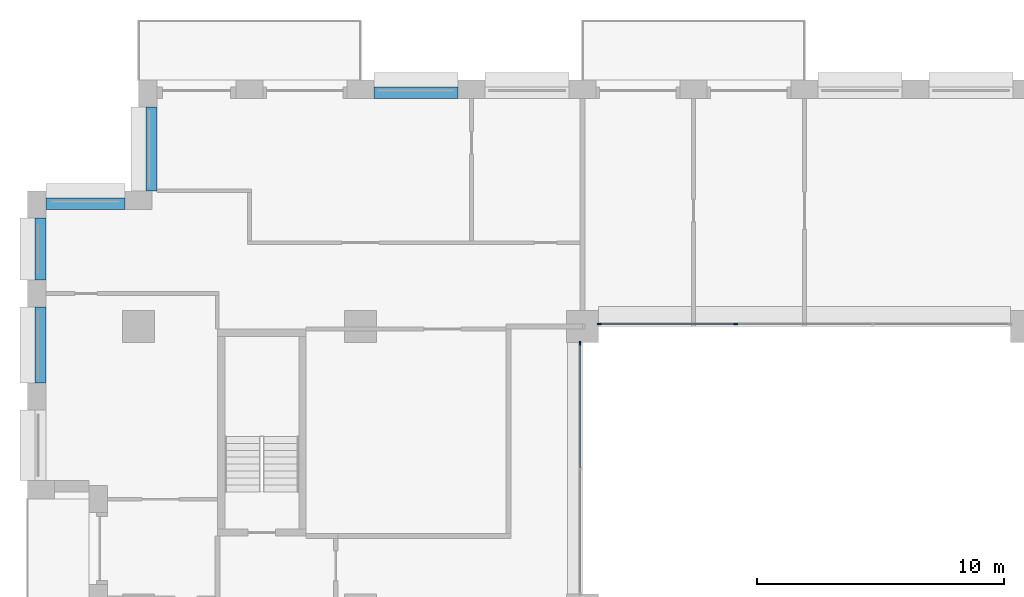
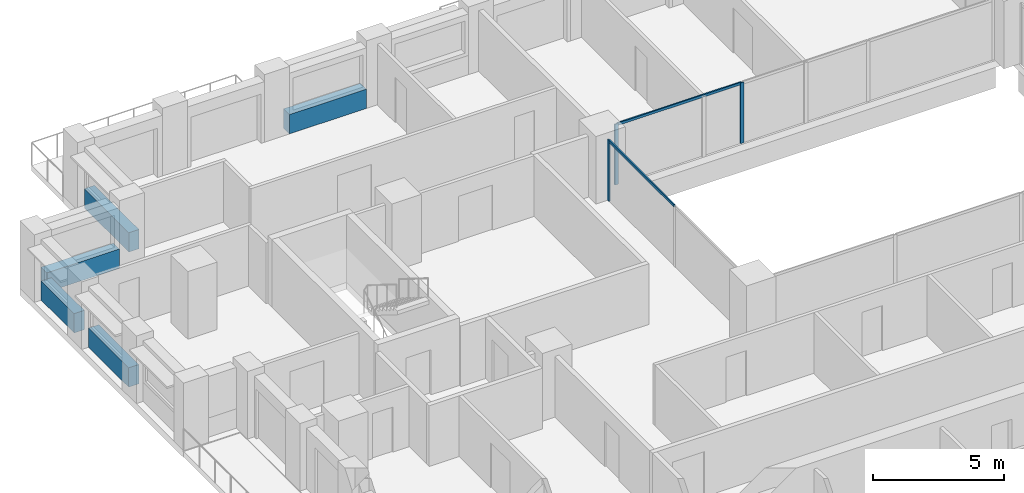
# One storey, part 5 of 16: 5 beams, 5 members, 2 elements without a shape of their own.
"""IFC4 building model written with IfcOpenShell, lengths in metres."""

from ifc_helpers import new_model, si_unit, direction, frame, origin, origin_2d, place, context, subcontext, project, spatial, rectangle, extrude, material, layer, layer_set, material_profile, profile_set, type_object, element, aggregate, save


model = new_model("IFC4")

# Units and contexts
model_context = context("Model", 3, precision=1e-05, world=origin(), true_north=direction((0.0, 1.0)))
body_context = subcontext(model_context, "Body", "Model", "MODEL_VIEW")
ifc_project = project(units=[si_unit("LENGTHUNIT", "METRE"), si_unit("AREAUNIT", "SQUARE_METRE"), si_unit("VOLUMEUNIT", "CUBIC_METRE"), si_unit("PLANEANGLEUNIT", "RADIAN"), si_unit("MASSUNIT", "GRAM", prefix="KILO")], contexts=[model_context])

# Site, building, storey
site_placement = place(None, origin())
site = spatial("IfcSite", under=ifc_project, at=site_placement, CompositionType="ELEMENT")
building_placement = place(site_placement, origin())
building = spatial("IfcBuilding", under=site, at=building_placement, Name="Brigalow Station Residences", CompositionType="ELEMENT")
storey_placement = place(building_placement, frame((0.0, 0.0, 121.35009765625)))
storey = spatial("IfcBuildingStorey", under=building, at=storey_placement, Name="L35", CompositionType="ELEMENT", Elevation=121.35009765625)

# Curtain wall, members
ifc_material_1 = material(Name="Aluminium", Category="aluminium")
ifc_layer = layer(ifc_material_1, 0.14990234375)
ifc_layer_set = layer_set([ifc_layer], Name="ATRIUM FIRE-RATED GLAZING CURTAIN WALL")
curtain_wall_type = type_object("IfcCurtainWallType", Name="ATRIUM FIRE-RATED GLAZING CURTAIN WALL", PredefinedType="NOTDEFINED", material=ifc_layer_set)
curtain_wall_1_placement = place(storey_placement, origin())
curtain_wall_1 = element("IfcCurtainWall", 1, at=curtain_wall_1_placement, inside=storey, type_object=curtain_wall_type, Name="L35/cw/atrium-N", PredefinedType="NOTDEFINED")
ifc_material_2 = material(Name="Aluminium", Category="aluminium")
ifc_material_profile_1 = material_profile(ifc_material_2, rectangle(XDim=0.06005859375, YDim=0.14990234375, at=origin_2d()), Name="ATRIUM FIRE-RATED GLAZING MULLION 60x150")
ifc_profile_set_1 = profile_set([ifc_material_profile_1], Name="Aluminium")
member_type_1 = type_object("IfcMemberType", Name="ATRIUM FIRE-RATED GLAZING MULLION 60x150", PredefinedType="MULLION", material=ifc_profile_set_1)
member_1_placement = place(storey_placement, frame((33.216796875, 35.60009765625, 0.0), z_axis=(0.0, 0.0, 1.0), x_axis=(0.0, -1.0, 0.0)))
member_1 = element("IfcMember", 2, at=member_1_placement, type_object=member_type_1, Name="L35/cw/atrium-N/M02", PredefinedType="MULLION", context=body_context, shape_type="SweptSolid", body=[
    extrude(rectangle(XDim=0.06005859375, YDim=0.14990234375, at=origin_2d()), origin(), (0.0, 0.0, 1.0), 2.829833984375),
])
member_2_placement = place(storey_placement, frame((27.679931640625, 35.60009765625, 0.0), z_axis=(0.0, 0.0, 1.0), x_axis=(0.0, -1.0, 0.0)))
member_2 = element("IfcMember", 3, at=member_2_placement, type_object=member_type_1, Name="L35/cw/atrium-N/M03", PredefinedType="MULLION", context=body_context, shape_type="SweptSolid", body=[
    extrude(rectangle(XDim=0.06005859375, YDim=0.14990234375, at=origin_2d()), origin(), (0.0, 0.0, 1.0), 2.829833984375),
])

# Curtain wall, member
curtain_wall_2_placement = place(storey_placement, origin())
curtain_wall_2 = element("IfcCurtainWall", 4, at=curtain_wall_2_placement, inside=storey, type_object=curtain_wall_type, Name="L35/cw/atrium-W", PredefinedType="NOTDEFINED")
member_3_placement = place(storey_placement, frame((26.89990234375, 34.820068359375, 0.0), z_axis=(0.0, 0.0, 1.0), x_axis=(1.0, 0.0, 0.0)))
member_3 = element("IfcMember", 5, at=member_3_placement, type_object=member_type_1, Name="L35/cw/atrium-W/M00", PredefinedType="MULLION", context=body_context, shape_type="SweptSolid", body=[
    extrude(rectangle(XDim=0.06005859375, YDim=0.14990234375, at=origin_2d()), origin(), (0.0, 0.0, 1.0), 2.829833984375),
])

# Member
ifc_material_3 = material(Name="Aluminium", Category="aluminium")
ifc_material_profile_2 = material_profile(ifc_material_3, rectangle(XDim=0.06005859375, YDim=0.1201171875, at=origin_2d()), Name="ATRIUM FIRE-RATED GLAZING TRANSOM 60x120")
ifc_profile_set_2 = profile_set([ifc_material_profile_2], Name="Aluminium")
member_type_2 = type_object("IfcMemberType", Name="ATRIUM FIRE-RATED GLAZING TRANSOM 60x120", PredefinedType="USERDEFINED", material=ifc_profile_set_2)
member_4_placement = place(storey_placement, frame((33.186767578125, 35.60009765625, 2.7998046875), z_axis=(-1.0, 0.0, 0.0), x_axis=(0.0, -1.0, 0.0)))
member_4 = element("IfcMember", 6, at=member_4_placement, type_object=member_type_2, Name="L35/cw/atrium-N/T02-00", ObjectType="TRANSOM", PredefinedType="USERDEFINED", context=body_context, shape_type="SweptSolid", body=[
    extrude(rectangle(XDim=0.06005859375, YDim=0.1201171875, at=origin_2d()), origin(), (0.0, 0.0, 1.0), 5.476806640625),
])

aggregate(curtain_wall_1, [member_1, member_2, member_4])

member_5_placement = place(storey_placement, frame((26.89990234375, 34.7900390625, 2.7998046875), z_axis=(0.0, -1.0, 0.0), x_axis=(1.0, 0.0, 0.0)))
member_5 = element("IfcMember", 7, at=member_5_placement, type_object=member_type_2, Name="L35/cw/atrium-W/T00-00", ObjectType="TRANSOM", PredefinedType="USERDEFINED", context=body_context, shape_type="SweptSolid", body=[
    extrude(rectangle(XDim=0.06005859375, YDim=0.1201171875, at=origin_2d()), origin(), (0.0, 0.0, 1.0), 5.010009765625),
])

aggregate(curtain_wall_2, [member_3, member_5])

# Beams
ifc_material_4 = material(Name="Concrete C65", Category="concrete")
ifc_material_profile_3 = material_profile(ifc_material_4, rectangle(XDim=0.449951171875, YDim=0.89990234375, at=origin_2d()), Name="RC450x900")
ifc_profile_set_3 = profile_set([ifc_material_profile_3], Name="Concrete C65")
beam_type = type_object("IfcBeamType", Name="SPANDREL BEAM 450x900 C65", PredefinedType="SPANDREL", material=ifc_profile_set_3)
for number, where, z_axis, x_axis, name in (
    (8, (21.949951171875, 44.97509765625, 0.449951171875), (-1.0, 0.0, 0.0), (0.0, -1.0, 0.0), "L35/spandrel/W-L35-34"),
    (9, (9.52490234375, 44.39990234375, 0.449951171875), (0.0, -1.0, 0.0), (1.0, 0.0, 0.0), "L35/spandrel/W-L35-37"),
):
    element("IfcBeam", number, at=place(storey_placement, frame(where, z_axis=z_axis, x_axis=x_axis)), inside=storey, type_object=beam_type, Name=name, PredefinedType="SPANDREL", context=body_context, shape_type="SweptSolid", body=[
        extrude(rectangle(XDim=0.449951171875, YDim=0.89990234375, at=origin_2d()), origin(), (0.0, 0.0, 1.0), 3.39990234375),
    ])
beam_1_placement = place(storey_placement, frame((8.449951171875, 40.47509765625, 0.449951171875), z_axis=(-1.0, 0.0, 0.0), x_axis=(0.0, -1.0, 0.0)))
element("IfcBeam", 10, at=beam_1_placement, inside=storey, type_object=beam_type, Name="L35/spandrel/W-L35-38", PredefinedType="SPANDREL", context=body_context, shape_type="SweptSolid", body=[
    extrude(rectangle(XDim=0.449951171875, YDim=0.89990234375, at=origin_2d()), origin(), (0.0, 0.0, 1.0), 3.199951171875),
])
beam_2_placement = place(storey_placement, frame((5.02490234375, 39.89990234375, 0.449951171875), z_axis=(0.0, -1.0, 0.0), x_axis=(1.0, 0.0, 0.0)))
element("IfcBeam", 11, at=beam_2_placement, inside=storey, type_object=beam_type, Name="L35/spandrel/W-L35-39", PredefinedType="SPANDREL", context=body_context, shape_type="SweptSolid", body=[
    extrude(rectangle(XDim=0.449951171875, YDim=0.89990234375, at=origin_2d()), origin(), (0.0, 0.0, 1.0), 2.516845703125),
])
beam_3_placement = place(storey_placement, frame((5.02490234375, 36.282958984375, 0.449951171875), z_axis=(0.0, -1.0, 0.0), x_axis=(1.0, 0.0, 0.0)))
element("IfcBeam", 12, at=beam_3_placement, inside=storey, type_object=beam_type, Name="L35/spandrel/W-L35-40", PredefinedType="SPANDREL", context=body_context, shape_type="SweptSolid", body=[
    extrude(rectangle(XDim=0.449951171875, YDim=0.89990234375, at=origin_2d()), origin(), (0.0, 0.0, 1.0), 3.06591796875),
])

save(model, "model.ifc")
